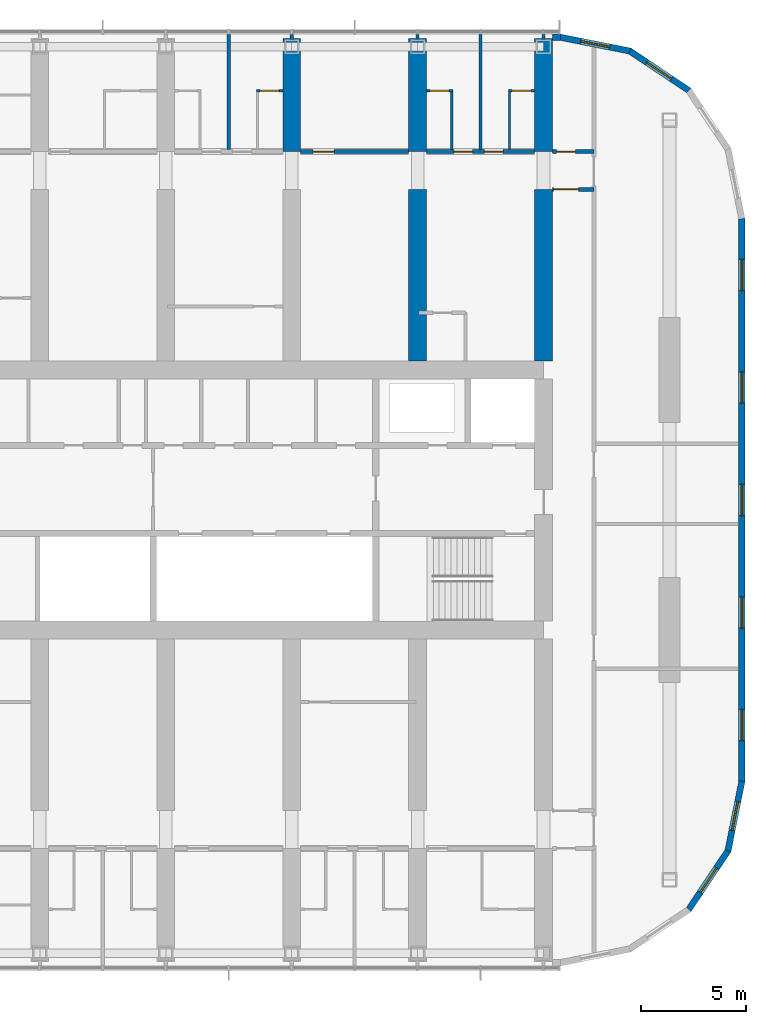
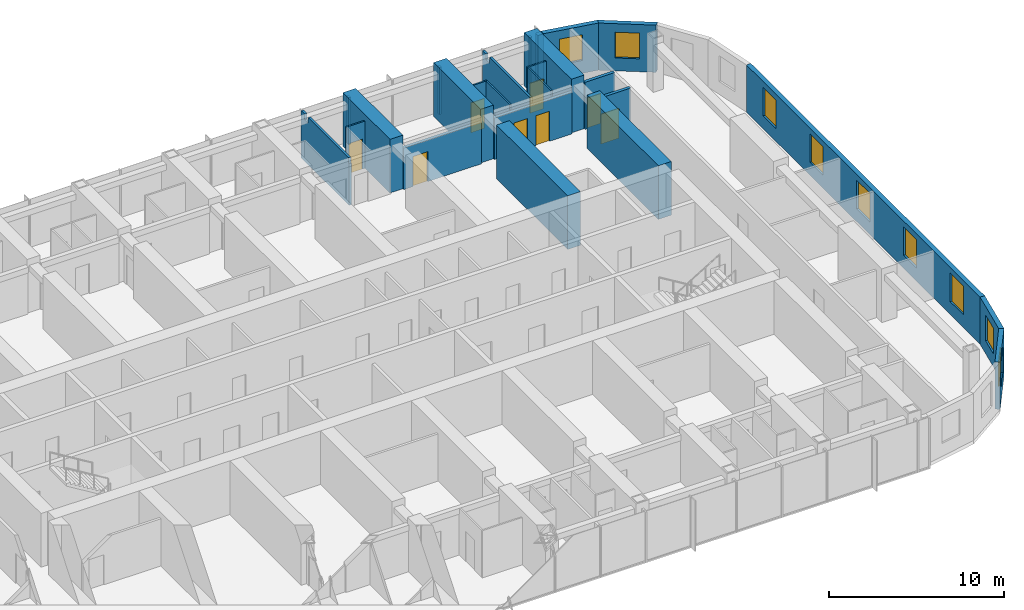
# One storey, part 17 of 23: 25 walls, 9 windows, 8 doors, 17 openings.
"""IFC4 building model written with IfcOpenShell, lengths in metres."""

from ifc_helpers import new_model, si_unit, direction, frame, frame_2d, origin, place, context, subcontext, project, spatial, polyline, rectangle, outline, extrude, material, layer, layer_set, type_object, element, fill, save


model = new_model("IFC4")

# Units and contexts
model_context = context("Model", 3, precision=1e-05, world=origin(), true_north=direction((0.0, 1.0)))
body_context = subcontext(model_context, "Body", "Model", "MODEL_VIEW")
ifc_project = project(units=[si_unit("LENGTHUNIT", "METRE"), si_unit("AREAUNIT", "SQUARE_METRE"), si_unit("VOLUMEUNIT", "CUBIC_METRE"), si_unit("PLANEANGLEUNIT", "RADIAN"), si_unit("MASSUNIT", "GRAM", prefix="KILO")], contexts=[model_context])

# Site, building, storey
site_placement = place(None, origin())
site = spatial("IfcSite", under=ifc_project, at=site_placement, CompositionType="ELEMENT")
building_placement = place(site_placement, origin())
building = spatial("IfcBuilding", under=site, at=building_placement, Name="Orbita Commons", CompositionType="ELEMENT")
storey_placement = place(building_placement, frame((0.0, 0.0, 174.85009765625)))
storey = spatial("IfcBuildingStorey", under=building, at=storey_placement, Name="L43", CompositionType="ELEMENT", Elevation=174.85009765625)

# Wall, opening, door
ifc_material_1 = material(Name="Concrete blockwork", Category="masonry")
ifc_layer_1 = layer(ifc_material_1, 0.199951171875)
ifc_layer_set_1 = layer_set([ifc_layer_1], Name="Concrete blockwork")
wall_type_1 = type_object("IfcWallType", Name="Corridor wall 200 blockwork", PredefinedType="SOLIDWALL", material=ifc_layer_set_1)
wall_1_placement = place(storey_placement, frame((54.425048828125, 48.60009765625, 0.0), z_axis=(0.0, 0.0, 1.0), x_axis=(1.0, 0.0, 0.0)))
wall_1 = element("IfcWall", 1, at=wall_1_placement, inside=storey, type_object=wall_type_1, Name="Corridor wall 200 blockwork L43", PredefinedType="SOLIDWALL", context=body_context, shape_type="SweptSolid", body=[
    extrude(outline(polyline([(0.0, 0.0), (5.14990234375, 0.0), (5.14990234375, 2.89990234375), (0.0, 2.89990234375), (0.0, 0.0)])), frame((0.0, 0.10009765625, 0.0), z_axis=(0.0, -1.0, 0.0), x_axis=(1.0, 0.0, 0.0)), (0.0, 0.0, 1.0), 0.199951171875),
])
opening_1_placement = place(wall_1_placement, frame((0.60009765625, 0.0, 0.0)))
opening_1 = element("IfcOpeningElement", 2, at=opening_1_placement, cuts=wall_1, Name="Opening D06", PredefinedType="OPENING", context=body_context, shape_type="SweptSolid", body=[
    extrude(rectangle(XDim=1.0, YDim=2.10009765625, at=frame_2d((0.5, 1.050048828125))), frame((0.0, 0.10986328125, 0.0), z_axis=(0.0, -1.0, 0.0), x_axis=(1.0, 0.0, 0.0)), (0.0, 0.0, 1.0), 0.219970703125),
])
ifc_material_2 = material(Name="Steel-faced fire door leaf", Category="steel")
door_type_1 = type_object("IfcDoorType", Name="Corridor door 20 min 1000x2100", OperationType="SINGLE_SWING_LEFT", PredefinedType="DOOR", material=ifc_material_2)
door_1_placement = place(opening_1_placement, origin())
door_1 = element("IfcDoor", 3, at=door_1_placement, inside=storey, type_object=door_type_1, Name="Cluster kitchen-diner L43-N12 door", OperationType="SINGLE_SWING_LEFT", OverallHeight=2.10009765625, OverallWidth=1.0, PredefinedType="DOOR", context=body_context, shape_type="SweptSolid", body=[
    extrude(rectangle(XDim=1.0, YDim=2.10009765625, at=frame_2d((0.5, 1.050048828125))), frame((0.0, 0.02490234375, 0.0), z_axis=(0.0, -1.0, 0.0), x_axis=(1.0, 0.0, 0.0)), (0.0, 0.0, 1.0), 0.050048828125),
])
fill(opening_1, door_1)

# Wall, openings, doors
wall_2_placement = place(storey_placement, frame((60.425048828125, 48.60009765625, 0.0), z_axis=(0.0, 0.0, 1.0), x_axis=(1.0, 0.0, 0.0)))
wall_2 = element("IfcWall", 4, at=wall_2_placement, inside=storey, type_object=wall_type_1, Name="Corridor wall 200 blockwork L43", PredefinedType="SOLIDWALL", context=body_context, shape_type="SweptSolid", body=[
    extrude(outline(polyline([(0.0, 0.0), (5.14990234375, 0.0), (5.14990234375, 2.89990234375), (0.0, 2.89990234375), (0.0, 0.0)])), frame((0.0, 0.10009765625, 0.0), z_axis=(0.0, -1.0, 0.0), x_axis=(1.0, 0.0, 0.0)), (0.0, 0.0, 1.0), 0.199951171875),
])
opening_2_placement = place(wall_2_placement, frame((1.300048828125, 0.0, 0.0)))
opening_2 = element("IfcOpeningElement", 5, at=opening_2_placement, cuts=wall_2, Name="Opening D11", PredefinedType="OPENING", context=body_context, shape_type="SweptSolid", body=[
    extrude(rectangle(XDim=0.89990234375, YDim=2.10009765625, at=frame_2d((0.449951171875, 1.050048828125))), frame((0.0, 0.10986328125, 0.0), z_axis=(0.0, -1.0, 0.0), x_axis=(1.0, 0.0, 0.0)), (0.0, 0.0, 1.0), 0.219970703125),
])
opening_3_placement = place(wall_2_placement, frame((2.75, 0.0, 0.0)))
opening_3 = element("IfcOpeningElement", 6, at=opening_3_placement, cuts=wall_2, Name="Opening D11", PredefinedType="OPENING", context=body_context, shape_type="SweptSolid", body=[
    extrude(rectangle(XDim=0.89990234375, YDim=2.10009765625, at=frame_2d((0.449951171875, 1.050048828125))), frame((0.0, 0.10986328125, 0.0), z_axis=(0.0, -1.0, 0.0), x_axis=(1.0, 0.0, 0.0)), (0.0, 0.0, 1.0), 0.219970703125),
])
ifc_material_3 = material(Name="Steel-faced fire door leaf", Category="steel")
door_type_2 = type_object("IfcDoorType", Name="Corridor door 20 min 900x2100", OperationType="SINGLE_SWING_LEFT", PredefinedType="DOOR", material=ifc_material_3)
door_2_placement = place(opening_2_placement, origin())
door_2 = element("IfcDoor", 7, at=door_2_placement, inside=storey, type_object=door_type_2, Name="Cluster bedroom L43-N14 door", OperationType="SINGLE_SWING_LEFT", OverallHeight=2.10009765625, OverallWidth=0.89990234375, PredefinedType="DOOR", context=body_context, shape_type="SweptSolid", body=[
    extrude(rectangle(XDim=0.89990234375, YDim=2.10009765625, at=frame_2d((0.449951171875, 1.050048828125))), frame((0.0, 0.02490234375, 0.0), z_axis=(0.0, -1.0, 0.0), x_axis=(1.0, 0.0, 0.0)), (0.0, 0.0, 1.0), 0.050048828125),
])
fill(opening_2, door_2)
door_3_placement = place(opening_3_placement, origin())
door_3 = element("IfcDoor", 8, at=door_3_placement, inside=storey, type_object=door_type_2, Name="Cluster bedroom L43-N15 door", OperationType="SINGLE_SWING_LEFT", OverallHeight=2.10009765625, OverallWidth=0.89990234375, PredefinedType="DOOR", context=body_context, shape_type="SweptSolid", body=[
    extrude(rectangle(XDim=0.89990234375, YDim=2.10009765625, at=frame_2d((0.449951171875, 1.050048828125))), frame((0.0, 0.02490234375, 0.0), z_axis=(0.0, -1.0, 0.0), x_axis=(1.0, 0.0, 0.0)), (0.0, 0.0, 1.0), 0.050048828125),
])
fill(opening_3, door_3)

# Wall, opening, door
wall_3_placement = place(storey_placement, frame((66.425048828125, 48.60009765625, 0.0), z_axis=(0.0, 0.0, 1.0), x_axis=(1.0, 0.0, 0.0)))
wall_3 = element("IfcWall", 9, at=wall_3_placement, inside=storey, type_object=wall_type_1, Name="Corridor wall 200 blockwork L43", PredefinedType="SOLIDWALL", context=body_context, shape_type="SweptSolid", body=[
    extrude(rectangle(XDim=1.974853515625, YDim=0.199951171875, at=frame_2d((0.9873046875, 0.0))), origin(), (0.0, 0.0, 1.0), 3.2998046875),
])
opening_4_placement = place(wall_3_placement, frame((0.199951171875, 0.0, 0.0)))
opening_4 = element("IfcOpeningElement", 10, at=opening_4_placement, cuts=wall_3, Name="Opening D05", PredefinedType="OPENING", context=body_context, shape_type="SweptSolid", body=[
    extrude(rectangle(XDim=0.89990234375, YDim=2.10009765625, at=frame_2d((0.449951171875, 1.050048828125))), frame((0.0, 0.10986328125, 0.0), z_axis=(0.0, -1.0, 0.0), x_axis=(1.0, 0.0, 0.0)), (0.0, 0.0, 1.0), 0.219970703125),
])
ifc_material_4 = material(Name="Steel-faced fire door leaf", Category="steel")
door_type_3 = type_object("IfcDoorType", Name="Service door 20 min 900x2100", OperationType="SINGLE_SWING_LEFT", PredefinedType="DOOR", material=ifc_material_4)
door_4_placement = place(opening_4_placement, origin())
door_4 = element("IfcDoor", 11, at=door_4_placement, inside=storey, type_object=door_type_3, Name="Linen store L43-KEN door", OperationType="SINGLE_SWING_LEFT", OverallHeight=2.10009765625, OverallWidth=0.89990234375, PredefinedType="DOOR", context=body_context, shape_type="SweptSolid", body=[
    extrude(rectangle(XDim=0.89990234375, YDim=2.10009765625, at=frame_2d((0.449951171875, 1.050048828125))), frame((0.0, 0.02490234375, 0.0), z_axis=(0.0, -1.0, 0.0), x_axis=(1.0, 0.0, 0.0)), (0.0, 0.0, 1.0), 0.050048828125),
])
fill(opening_4, door_4)

ifc_material_5 = material(Name="Hollow concrete block 200", Category="concrete")
ifc_layer_2 = layer(ifc_material_5, 0.199951171875)
ifc_layer_set_2 = layer_set([ifc_layer_2], Name="Hollow concrete block 200")
wall_type_2 = type_object("IfcWallType", Name="Corridor wall 200 hollow concrete block", PredefinedType="SOLIDWALL", material=ifc_layer_set_2)
wall_4_placement = place(storey_placement, frame((66.425048828125, 46.800048828125, 0.0), z_axis=(0.0, 0.0, 1.0), x_axis=(1.0, 0.0, 0.0)))
wall_4 = element("IfcWall", 12, at=wall_4_placement, inside=storey, type_object=wall_type_2, Name="Corridor wall 200 hollow concrete block L43", PredefinedType="SOLIDWALL", context=body_context, shape_type="SweptSolid", body=[
    extrude(rectangle(XDim=1.974853515625, YDim=0.199951171875, at=frame_2d((0.9873046875, 0.0))), origin(), (0.0, 0.0, 1.0), 3.2998046875),
])
opening_5_placement = place(wall_4_placement, frame((0.050048828125, 0.0, 0.0)))
opening_5 = element("IfcOpeningElement", 13, at=opening_5_placement, cuts=wall_4, Name="Opening D12", PredefinedType="OPENING", context=body_context, shape_type="SweptSolid", body=[
    extrude(rectangle(XDim=1.199951171875, YDim=2.10009765625, at=frame_2d((0.60009765625, 1.050048828125))), frame((0.0, 0.10986328125, 0.0), z_axis=(0.0, -1.0, 0.0), x_axis=(1.0, 0.0, 0.0)), (0.0, 0.0, 1.0), 0.219970703125),
])
ifc_material_6 = material(Name="Steel-faced fire door leaf", Category="steel")
door_type_4 = type_object("IfcDoorType", Name="Double corridor door 20 min 1200x2100", OperationType="DOUBLE_DOOR_SINGLE_SWING", PredefinedType="DOOR", material=ifc_material_6)
door_5_placement = place(opening_5_placement, origin())
door_5 = element("IfcDoor", 14, at=door_5_placement, inside=storey, type_object=door_type_4, Name="Cross corridor doors", OperationType="DOUBLE_DOOR_SINGLE_SWING", OverallHeight=2.10009765625, OverallWidth=1.199951171875, PredefinedType="DOOR", context=body_context, shape_type="SweptSolid", body=[
    extrude(rectangle(XDim=1.199951171875, YDim=2.10009765625, at=frame_2d((0.60009765625, 1.050048828125))), frame((0.0, 0.02490234375, 0.0), z_axis=(0.0, -1.0, 0.0), x_axis=(1.0, 0.0, 0.0)), (0.0, 0.0, 1.0), 0.050048828125),
])
fill(opening_5, door_5)

# Walls
ifc_material_7 = material(Name="Concrete C50/60", Category="concrete")
ifc_layer_3 = layer(ifc_material_7, 0.85009765625)
ifc_layer_set_3 = layer_set([ifc_layer_3], Name="Concrete C50/60")
wall_type_3 = type_object("IfcWallType", Name="Cross wall 850 C50/60", PredefinedType="SHEAR", material=ifc_layer_set_3)
for number, where, z_axis, x_axis, name in (
    (15, (54.0, 48.60009765625, 0.0), (0.0, 0.0, 1.0), (0.0, 1.0, 0.0), "Cross wall 10 north outer L43"),
    (16, (60.0, 48.60009765625, 0.0), (0.0, 0.0, 1.0), (0.0, 1.0, 0.0), "Cross wall 11 north outer L43"),
):
    element("IfcWall", number, at=place(storey_placement, frame(where, z_axis=z_axis, x_axis=x_axis)), inside=storey, type_object=wall_type_3, Name=name, PredefinedType="SHEAR", context=body_context, shape_type="SweptSolid", body=[
        extrude(rectangle(XDim=5.39990234375, YDim=0.85009765625, at=frame_2d((2.699951171875, 0.0))), origin(), (0.0, 0.0, 1.0), 3.75),
    ])
wall_5_placement = place(storey_placement, frame((60.0, 38.625, 0.0), z_axis=(0.0, 0.0, 1.0), x_axis=(0.0, 1.0, 0.0)))
element("IfcWall", 17, at=wall_5_placement, inside=storey, type_object=wall_type_3, Name="Cross wall 11 north inner L43", PredefinedType="SHEAR", context=body_context, shape_type="SweptSolid", body=[
    extrude(rectangle(XDim=8.175048828125, YDim=0.85009765625, at=frame_2d((4.08740234375, 0.0))), origin(), (0.0, 0.0, 1.0), 3.75),
])
wall_6_placement = place(storey_placement, frame((66.0, 48.60009765625, 0.0), z_axis=(0.0, 0.0, 1.0), x_axis=(0.0, 1.0, 0.0)))
element("IfcWall", 18, at=wall_6_placement, inside=storey, type_object=wall_type_3, Name="Cross wall 12 north outer L43", PredefinedType="SHEAR", context=body_context, shape_type="SweptSolid", body=[
    extrude(rectangle(XDim=5.39990234375, YDim=0.85009765625, at=frame_2d((2.699951171875, 0.0))), origin(), (0.0, 0.0, 1.0), 3.75),
])
wall_7_placement = place(storey_placement, frame((66.0, 38.625, 0.0), z_axis=(0.0, 0.0, 1.0), x_axis=(0.0, 1.0, 0.0)))
element("IfcWall", 19, at=wall_7_placement, inside=storey, type_object=wall_type_3, Name="Cross wall 12 north inner L43", PredefinedType="SHEAR", context=body_context, shape_type="SweptSolid", body=[
    extrude(rectangle(XDim=8.175048828125, YDim=0.85009765625, at=frame_2d((4.08740234375, 0.0))), origin(), (0.0, 0.0, 1.0), 3.75),
])

# Wall, opening, door
ifc_material_8 = material(Name="Moisture-resistant plasterboard on steel studs", Category="steel")
ifc_layer_4 = layer(ifc_material_8, 0.10009765625)
ifc_layer_set_4 = layer_set([ifc_layer_4], Name="Moisture-resistant plasterboard on steel studs")
wall_type_4 = type_object("IfcWallType", Name="En-suite partition 100", PredefinedType="PARTITIONING", material=ifc_layer_set_4)
wall_8_placement = place(storey_placement, frame((52.324951171875, 51.5, 0.0), z_axis=(0.0, 0.0, 1.0), x_axis=(1.0, 0.0, 0.0)))
wall_8 = element("IfcWall", 20, at=wall_8_placement, inside=storey, type_object=wall_type_4, Name="En-suite partition 100 L43", PredefinedType="PARTITIONING", context=body_context, shape_type="SweptSolid", body=[
    extrude(rectangle(XDim=1.25, YDim=0.10009765625, at=frame_2d((0.625, 0.0))), origin(), (0.0, 0.0, 1.0), 3.2998046875),
])
opening_6_placement = place(wall_8_placement, frame((0.175048828125, 0.0, 0.0)))
opening_6 = element("IfcOpeningElement", 21, at=opening_6_placement, cuts=wall_8, Name="Opening D09", PredefinedType="OPENING", context=body_context, shape_type="SweptSolid", body=[
    extrude(rectangle(XDim=0.89990234375, YDim=2.10009765625, at=frame_2d((0.449951171875, 1.050048828125))), frame((0.0, 0.06005859375, 0.0), z_axis=(0.0, -1.0, 0.0), x_axis=(1.0, 0.0, 0.0)), (0.0, 0.0, 1.0), 0.1201171875),
])
ifc_material_9 = material(Name="Laminated timber door leaf", Category="wood")
door_type_5 = type_object("IfcDoorType", Name="En-suite door 900x2100", OperationType="SINGLE_SWING_RIGHT", PredefinedType="DOOR", material=ifc_material_9)
door_6_placement = place(opening_6_placement, origin())
door_6 = element("IfcDoor", 22, at=door_6_placement, inside=storey, type_object=door_type_5, Name="En-suite L43-N11 door", OperationType="SINGLE_SWING_RIGHT", OverallHeight=2.10009765625, OverallWidth=0.89990234375, PredefinedType="DOOR", context=body_context, shape_type="SweptSolid", body=[
    extrude(rectangle(XDim=0.89990234375, YDim=2.10009765625, at=frame_2d((0.449951171875, 1.050048828125))), frame((0.0, 0.02490234375, 0.0), z_axis=(0.0, -1.0, 0.0), x_axis=(1.0, 0.0, 0.0)), (0.0, 0.0, 1.0), 0.050048828125),
])
fill(opening_6, door_6)

wall_9_placement = place(storey_placement, frame((60.425048828125, 51.5, 0.0), z_axis=(0.0, 0.0, 1.0), x_axis=(1.0, 0.0, 0.0)))
wall_9 = element("IfcWall", 23, at=wall_9_placement, inside=storey, type_object=wall_type_4, Name="En-suite partition 100 L43", PredefinedType="PARTITIONING", context=body_context, shape_type="SweptSolid", body=[
    extrude(rectangle(XDim=1.25, YDim=0.10009765625, at=frame_2d((0.625, 0.0))), origin(), (0.0, 0.0, 1.0), 3.2998046875),
])
opening_7_placement = place(wall_9_placement, frame((0.175048828125, 0.0, 0.0)))
opening_7 = element("IfcOpeningElement", 24, at=opening_7_placement, cuts=wall_9, Name="Opening D09", PredefinedType="OPENING", context=body_context, shape_type="SweptSolid", body=[
    extrude(rectangle(XDim=0.89990234375, YDim=2.10009765625, at=frame_2d((0.449951171875, 1.050048828125))), frame((0.0, 0.06005859375, 0.0), z_axis=(0.0, -1.0, 0.0), x_axis=(1.0, 0.0, 0.0)), (0.0, 0.0, 1.0), 0.1201171875),
])
door_7_placement = place(opening_7_placement, origin())
door_7 = element("IfcDoor", 25, at=door_7_placement, inside=storey, type_object=door_type_5, Name="En-suite L43-N14 door", OperationType="SINGLE_SWING_RIGHT", OverallHeight=2.10009765625, OverallWidth=0.89990234375, PredefinedType="DOOR", context=body_context, shape_type="SweptSolid", body=[
    extrude(rectangle(XDim=0.89990234375, YDim=2.10009765625, at=frame_2d((0.449951171875, 1.050048828125))), frame((0.0, 0.02490234375, 0.0), z_axis=(0.0, -1.0, 0.0), x_axis=(1.0, 0.0, 0.0)), (0.0, 0.0, 1.0), 0.050048828125),
])
fill(opening_7, door_7)

# Wall
wall_10_placement = place(storey_placement, frame((61.625, 51.449951171875, 0.0), z_axis=(0.0, 0.0, 1.0), x_axis=(0.0, -1.0, 0.0)))
element("IfcWall", 26, at=wall_10_placement, inside=storey, type_object=wall_type_4, Name="En-suite partition 100 L43", PredefinedType="PARTITIONING", context=body_context, shape_type="SweptSolid", body=[
    extrude(outline(polyline([(0.0, 0.0), (2.75, 0.0), (2.75, 2.89990234375), (2.701904296875, 2.89990234375), (2.699951171875, 3.2998046875), (0.0, 3.2998046875), (0.0, 0.0)])), frame((0.0, 0.050048828125, 0.0), z_axis=(0.0, -1.0, 0.0), x_axis=(1.0, 0.0, 0.0)), (0.0, 0.0, 1.0), 0.10009765625),
])

# Wall, opening, door
wall_11_placement = place(storey_placement, frame((64.324951171875, 51.5, 0.0), z_axis=(0.0, 0.0, 1.0), x_axis=(1.0, 0.0, 0.0)))
wall_11 = element("IfcWall", 27, at=wall_11_placement, inside=storey, type_object=wall_type_4, Name="En-suite partition 100 L43", PredefinedType="PARTITIONING", context=body_context, shape_type="SweptSolid", body=[
    extrude(rectangle(XDim=1.25, YDim=0.10009765625, at=frame_2d((0.625, 0.0))), origin(), (0.0, 0.0, 1.0), 3.2998046875),
])
opening_8_placement = place(wall_11_placement, frame((0.175048828125, 0.0, 0.0)))
opening_8 = element("IfcOpeningElement", 28, at=opening_8_placement, cuts=wall_11, Name="Opening D09", PredefinedType="OPENING", context=body_context, shape_type="SweptSolid", body=[
    extrude(rectangle(XDim=0.89990234375, YDim=2.10009765625, at=frame_2d((0.449951171875, 1.050048828125))), frame((0.0, 0.06005859375, 0.0), z_axis=(0.0, -1.0, 0.0), x_axis=(1.0, 0.0, 0.0)), (0.0, 0.0, 1.0), 0.1201171875),
])
door_8_placement = place(opening_8_placement, origin())
door_8 = element("IfcDoor", 29, at=door_8_placement, inside=storey, type_object=door_type_5, Name="En-suite L43-N15 door", OperationType="SINGLE_SWING_RIGHT", OverallHeight=2.10009765625, OverallWidth=0.89990234375, PredefinedType="DOOR", context=body_context, shape_type="SweptSolid", body=[
    extrude(rectangle(XDim=0.89990234375, YDim=2.10009765625, at=frame_2d((0.449951171875, 1.050048828125))), frame((0.0, 0.02490234375, 0.0), z_axis=(0.0, -1.0, 0.0), x_axis=(1.0, 0.0, 0.0)), (0.0, 0.0, 1.0), 0.050048828125),
])
fill(opening_8, door_8)

# Walls
wall_12_placement = place(storey_placement, frame((64.375, 51.449951171875, 0.0), z_axis=(0.0, 0.0, 1.0), x_axis=(0.0, -1.0, 0.0)))
element("IfcWall", 30, at=wall_12_placement, inside=storey, type_object=wall_type_4, Name="En-suite partition 100 L43", PredefinedType="PARTITIONING", context=body_context, shape_type="SweptSolid", body=[
    extrude(outline(polyline([(0.0, 0.0), (2.75, 0.0), (2.75, 2.89990234375), (2.701904296875, 2.89990234375), (2.699951171875, 3.2998046875), (0.0, 3.2998046875), (0.0, 0.0)])), frame((0.0, 0.050048828125, 0.0), z_axis=(0.0, -1.0, 0.0), x_axis=(1.0, 0.0, 0.0)), (0.0, 0.0, 1.0), 0.10009765625),
])
ifc_material_10 = material(Name="Gypsum plasterboard on steel studs", Category="steel")
ifc_layer_5 = layer(ifc_material_10, 0.14990234375)
ifc_layer_set_5 = layer_set([ifc_layer_5], Name="Gypsum plasterboard on steel studs")
wall_type_5 = type_object("IfcWallType", Name="Partition 150 plasterboard", PredefinedType="PARTITIONING", material=ifc_layer_set_5)
for number, where, z_axis, x_axis, name in (
    (31, (54.0, 53.949951171875, 0.0), (0.0, 0.0, 1.0), (0.0, 1.0, 0.0), "Partition 150 plasterboard L43"),
    (32, (60.0, 53.949951171875, 0.0), (0.0, 0.0, 1.0), (0.0, 1.0, 0.0), "Partition 150 plasterboard L43"),
    (33, (66.0, 53.949951171875, 0.0), (0.0, 0.0, 1.0), (0.0, 1.0, 0.0), "Partition 150 plasterboard L43"),
):
    element("IfcWall", number, at=place(storey_placement, frame(where, z_axis=z_axis, x_axis=x_axis)), inside=storey, type_object=wall_type_5, Name=name, PredefinedType="PARTITIONING", context=body_context, shape_type="SweptSolid", body=[
        extrude(rectangle(XDim=0.239990234375, YDim=0.14990234375, at=frame_2d((0.1201171875, 0.0))), origin(), (0.0, 0.0, 1.0), 3.2998046875),
    ])
ifc_material_11 = material(Name="Gypsum plasterboard on steel studs", Category="steel")
ifc_layer_6 = layer(ifc_material_11, 0.14990234375)
ifc_layer_set_6 = layer_set([ifc_layer_6], Name="Gypsum plasterboard on steel studs")
wall_type_6 = type_object("IfcWallType", Name="Party wall 150 plasterboard", PredefinedType="PARTITIONING", material=ifc_layer_set_6)
for number, where, z_axis, x_axis, name in (
    (34, (51.0, 54.18994140625, 0.0), (0.0, 0.0, 1.0), (0.0, -1.0, 0.0), "Party wall 150 plasterboard L43"),
    (35, (63.0, 54.18994140625, 0.0), (0.0, 0.0, 1.0), (0.0, -1.0, 0.0), "Party wall 150 plasterboard L43"),
):
    element("IfcWall", number, at=place(storey_placement, frame(where, z_axis=z_axis, x_axis=x_axis)), inside=storey, type_object=wall_type_6, Name=name, PredefinedType="PARTITIONING", context=body_context, shape_type="SweptSolid", body=[
        extrude(outline(polyline([(0.0, 0.0), (5.489990234375, 0.0), (5.489990234375, 2.89990234375), (5.44189453125, 2.89990234375), (5.43994140625, 3.2998046875), (0.7919921875, 3.2998046875), (0.7900390625, 2.89990234375), (0.39208984375, 2.89990234375), (0.389892578125, 3.2998046875), (0.0, 3.2998046875), (0.0, 0.0)])), frame((0.0, 0.074951171875, 0.0), z_axis=(0.0, -1.0, 0.0), x_axis=(1.0, 0.0, 0.0)), (0.0, 0.0, 1.0), 0.14990234375),
    ])

# Wall, openings, windows
ifc_material_12 = material(Name="Precast concrete C40/50, white board-marked finish", Category="concrete")
ifc_layer_7 = layer(ifc_material_12, 0.300048828125)
ifc_layer_set_7 = layer_set([ifc_layer_7], Name="Precast concrete C40/50, white board-marked finish")
wall_type_7 = type_object("IfcWallType", Name="Precast concrete end shield 300", PredefinedType="SOLIDWALL", material=ifc_layer_set_7)
wall_13_placement = place(storey_placement, frame((75.449951171875, 18.60009765625, 0.0), z_axis=(0.0, 0.0, 1.0), x_axis=(0.0, 1.0, 0.0)))
wall_13 = element("IfcWall", 36, at=wall_13_placement, inside=storey, type_object=wall_type_7, Name="End shield E L43", PredefinedType="SOLIDWALL", context=body_context, shape_type="SweptSolid", body=[
    extrude(outline(polyline([(-0.014892578125, -0.14990234375), (26.814697265625, -0.14990234375), (26.784912109375, 0.14990234375), (0.014892578125, 0.14990234375), (-0.014892578125, -0.14990234375)])), origin(), (0.0, 0.0, 1.0), 3.2998046875),
])
opening_9_placement = place(wall_13_placement, frame((1.929931640625, 0.0, 0.89990234375)))
opening_9 = element("IfcOpeningElement", 37, at=opening_9_placement, cuts=wall_13, Name="Opening W01", PredefinedType="OPENING", context=body_context, shape_type="SweptSolid", body=[
    extrude(rectangle(XDim=1.5, YDim=2.0, at=frame_2d((0.75, 1.0))), frame((0.0, 0.159912109375, 0.0), z_axis=(0.0, -1.0, 0.0), x_axis=(1.0, 0.0, 0.0)), (0.0, 0.0, 1.0), 0.320068359375),
])
opening_10_placement = place(wall_13_placement, frame((7.2900390625, 0.0, 0.89990234375)))
opening_10 = element("IfcOpeningElement", 38, at=opening_10_placement, cuts=wall_13, Name="Opening W01", PredefinedType="OPENING", context=body_context, shape_type="SweptSolid", body=[
    extrude(rectangle(XDim=1.5, YDim=2.0, at=frame_2d((0.75, 1.0))), frame((0.0, 0.159912109375, 0.0), z_axis=(0.0, -1.0, 0.0), x_axis=(1.0, 0.0, 0.0)), (0.0, 0.0, 1.0), 0.320068359375),
])
opening_11_placement = place(wall_13_placement, frame((12.64990234375, 0.0, 0.89990234375)))
opening_11 = element("IfcOpeningElement", 39, at=opening_11_placement, cuts=wall_13, Name="Opening W01", PredefinedType="OPENING", context=body_context, shape_type="SweptSolid", body=[
    extrude(rectangle(XDim=1.5, YDim=2.0, at=frame_2d((0.75, 1.0))), frame((0.0, 0.159912109375, 0.0), z_axis=(0.0, -1.0, 0.0), x_axis=(1.0, 0.0, 0.0)), (0.0, 0.0, 1.0), 0.320068359375),
])
opening_12_placement = place(wall_13_placement, frame((18.010009765625, 0.0, 0.89990234375)))
opening_12 = element("IfcOpeningElement", 40, at=opening_12_placement, cuts=wall_13, Name="Opening W01", PredefinedType="OPENING", context=body_context, shape_type="SweptSolid", body=[
    extrude(rectangle(XDim=1.5, YDim=2.0, at=frame_2d((0.75, 1.0))), frame((0.0, 0.159912109375, 0.0), z_axis=(0.0, -1.0, 0.0), x_axis=(1.0, 0.0, 0.0)), (0.0, 0.0, 1.0), 0.320068359375),
])
opening_13_placement = place(wall_13_placement, frame((23.3701171875, 0.0, 0.89990234375)))
opening_13 = element("IfcOpeningElement", 41, at=opening_13_placement, cuts=wall_13, Name="Opening W01", PredefinedType="OPENING", context=body_context, shape_type="SweptSolid", body=[
    extrude(rectangle(XDim=1.5, YDim=2.0, at=frame_2d((0.75, 1.0))), frame((0.0, 0.159912109375, 0.0), z_axis=(0.0, -1.0, 0.0), x_axis=(1.0, 0.0, 0.0)), (0.0, 0.0, 1.0), 0.320068359375),
])
ifc_material_13 = material(Name="Aluminium frame, clear double glazing", Category="aluminium")
window_type_1 = type_object("IfcWindowType", Name="Deep-set window 1500x2000", PartitioningType="SINGLE_PANEL", PredefinedType="WINDOW", material=ifc_material_13)
window_1_placement = place(opening_9_placement, origin())
window_1 = element("IfcWindow", 42, at=window_1_placement, inside=storey, type_object=window_type_1, Name="Window L43-E 1", OverallHeight=2.0, OverallWidth=1.5, PartitioningType="SINGLE_PANEL", PredefinedType="WINDOW", context=body_context, shape_type="SweptSolid", body=[
    extrude(rectangle(XDim=1.5, YDim=2.0, at=frame_2d((0.75, 1.0))), frame((0.0, 0.030029296875, 0.0), z_axis=(0.0, -1.0, 0.0), x_axis=(1.0, 0.0, 0.0)), (0.0, 0.0, 1.0), 0.06005859375),
])
fill(opening_9, window_1)
window_2_placement = place(opening_10_placement, origin())
window_2 = element("IfcWindow", 43, at=window_2_placement, inside=storey, type_object=window_type_1, Name="Window L43-E 2", OverallHeight=2.0, OverallWidth=1.5, PartitioningType="SINGLE_PANEL", PredefinedType="WINDOW", context=body_context, shape_type="SweptSolid", body=[
    extrude(rectangle(XDim=1.5, YDim=2.0, at=frame_2d((0.75, 1.0))), frame((0.0, 0.030029296875, 0.0), z_axis=(0.0, -1.0, 0.0), x_axis=(1.0, 0.0, 0.0)), (0.0, 0.0, 1.0), 0.06005859375),
])
fill(opening_10, window_2)
window_3_placement = place(opening_11_placement, origin())
window_3 = element("IfcWindow", 44, at=window_3_placement, inside=storey, type_object=window_type_1, Name="Window L43-E 3", OverallHeight=2.0, OverallWidth=1.5, PartitioningType="SINGLE_PANEL", PredefinedType="WINDOW", context=body_context, shape_type="SweptSolid", body=[
    extrude(rectangle(XDim=1.5, YDim=2.0, at=frame_2d((0.75, 1.0))), frame((0.0, 0.030029296875, 0.0), z_axis=(0.0, -1.0, 0.0), x_axis=(1.0, 0.0, 0.0)), (0.0, 0.0, 1.0), 0.06005859375),
])
fill(opening_11, window_3)
window_4_placement = place(opening_12_placement, origin())
window_4 = element("IfcWindow", 45, at=window_4_placement, inside=storey, type_object=window_type_1, Name="Window L43-E 4", OverallHeight=2.0, OverallWidth=1.5, PartitioningType="SINGLE_PANEL", PredefinedType="WINDOW", context=body_context, shape_type="SweptSolid", body=[
    extrude(rectangle(XDim=1.5, YDim=2.0, at=frame_2d((0.75, 1.0))), frame((0.0, 0.030029296875, 0.0), z_axis=(0.0, -1.0, 0.0), x_axis=(1.0, 0.0, 0.0)), (0.0, 0.0, 1.0), 0.06005859375),
])
fill(opening_12, window_4)
window_5_placement = place(opening_13_placement, origin())
window_5 = element("IfcWindow", 46, at=window_5_placement, inside=storey, type_object=window_type_1, Name="Window L43-E 5", OverallHeight=2.0, OverallWidth=1.5, PartitioningType="SINGLE_PANEL", PredefinedType="WINDOW", context=body_context, shape_type="SweptSolid", body=[
    extrude(rectangle(XDim=1.5, YDim=2.0, at=frame_2d((0.75, 1.0))), frame((0.0, 0.030029296875, 0.0), z_axis=(0.0, -1.0, 0.0), x_axis=(1.0, 0.0, 0.0)), (0.0, 0.0, 1.0), 0.06005859375),
])
fill(opening_13, window_5)

# Wall, opening, window
wall_14_placement = place(storey_placement, frame((72.91650390625, 12.4833984375, 0.0), z_axis=(0.0, 0.0, 1.0), x_axis=(0.555534554399, 0.831493450887, 0.0)))
wall_14 = element("IfcWall", 47, at=wall_14_placement, inside=storey, type_object=wall_type_7, Name="End shield SE chord 3 L43", PredefinedType="SOLIDWALL", context=body_context, shape_type="SweptSolid", body=[
    extrude(outline(polyline([(-0.02978515625, -0.14990234375), (3.405029296875, -0.14990234375), (3.345458984375, 0.14990234375), (0.02978515625, 0.14990234375), (-0.02978515625, -0.14990234375)])), origin(), (0.0, 0.0, 1.0), 3.2998046875),
])
opening_14_placement = place(wall_14_placement, frame((0.987548828125, 0.0, 0.89990234375)))
opening_14 = element("IfcOpeningElement", 48, at=opening_14_placement, cuts=wall_14, Name="Opening W02", PredefinedType="OPENING", context=body_context, shape_type="SweptSolid", body=[
    extrude(rectangle(XDim=1.39990234375, YDim=1.800048828125, at=frame_2d((0.699951171875, 0.89990234375))), frame((0.0, 0.159912109375, 0.0), z_axis=(0.0, -1.0, 0.0), x_axis=(1.0, 0.0, 0.0)), (0.0, 0.0, 1.0), 0.320068359375),
])
ifc_material_14 = material(Name="Aluminium frame, clear double glazing", Category="aluminium")
window_type_2 = type_object("IfcWindowType", Name="Deep-set window 1400x1800", PartitioningType="SINGLE_PANEL", PredefinedType="WINDOW", material=ifc_material_14)
window_6_placement = place(opening_14_placement, origin())
window_6 = element("IfcWindow", 49, at=window_6_placement, inside=storey, type_object=window_type_2, Name="Window L43-SE2", OverallHeight=1.800048828125, OverallWidth=1.39990234375, PartitioningType="SINGLE_PANEL", PredefinedType="WINDOW", context=body_context, shape_type="SweptSolid", body=[
    extrude(rectangle(XDim=1.39990234375, YDim=1.800048828125, at=frame_2d((0.699951171875, 0.89990234375))), frame((0.0, 0.030029296875, 0.0), z_axis=(0.0, -1.0, 0.0), x_axis=(1.0, 0.0, 0.0)), (0.0, 0.0, 1.0), 0.06005859375),
])
fill(opening_14, window_6)

wall_15_placement = place(storey_placement, frame((74.79150390625, 15.289794921875, 0.0), z_axis=(0.0, 0.0, 1.0), x_axis=(0.19508664885, 0.980786011034, 0.0)))
wall_15 = element("IfcWall", 50, at=wall_15_placement, inside=storey, type_object=wall_type_7, Name="End shield SE chord 4 L43", PredefinedType="SOLIDWALL", context=body_context, shape_type="SweptSolid", body=[
    extrude(outline(polyline([(-0.02978515625, -0.14990234375), (3.39013671875, -0.14990234375), (3.3603515625, 0.14990234375), (0.02978515625, 0.14990234375), (-0.02978515625, -0.14990234375)])), origin(), (0.0, 0.0, 1.0), 3.2998046875),
])
opening_15_placement = place(wall_15_placement, frame((0.987548828125, 0.0, 0.89990234375)))
opening_15 = element("IfcOpeningElement", 51, at=opening_15_placement, cuts=wall_15, Name="Opening W02", PredefinedType="OPENING", context=body_context, shape_type="SweptSolid", body=[
    extrude(rectangle(XDim=1.39990234375, YDim=1.800048828125, at=frame_2d((0.699951171875, 0.89990234375))), frame((0.0, 0.159912109375, 0.0), z_axis=(0.0, -1.0, 0.0), x_axis=(1.0, 0.0, 0.0)), (0.0, 0.0, 1.0), 0.320068359375),
])
window_7_placement = place(opening_15_placement, origin())
window_7 = element("IfcWindow", 52, at=window_7_placement, inside=storey, type_object=window_type_2, Name="Window L43-SE3", OverallHeight=1.800048828125, OverallWidth=1.39990234375, PartitioningType="SINGLE_PANEL", PredefinedType="WINDOW", context=body_context, shape_type="SweptSolid", body=[
    extrude(rectangle(XDim=1.39990234375, YDim=1.800048828125, at=frame_2d((0.699951171875, 0.89990234375))), frame((0.0, 0.030029296875, 0.0), z_axis=(0.0, -1.0, 0.0), x_axis=(1.0, 0.0, 0.0)), (0.0, 0.0, 1.0), 0.06005859375),
])
fill(opening_15, window_7)

wall_16_placement = place(storey_placement, frame((72.91650390625, 51.5166015625, 0.0), z_axis=(0.0, 0.0, 1.0), x_axis=(-0.831493450887, 0.555534554399, 0.0)))
wall_16 = element("IfcWall", 53, at=wall_16_placement, inside=storey, type_object=wall_type_7, Name="End shield NE chord 3 L43", PredefinedType="SOLIDWALL", context=body_context, shape_type="SweptSolid", body=[
    extrude(outline(polyline([(-0.02978515625, -0.14990234375), (3.405029296875, -0.14990234375), (3.345458984375, 0.14990234375), (0.02978515625, 0.14990234375), (-0.02978515625, -0.14990234375)])), origin(), (0.0, 0.0, 1.0), 3.2998046875),
])
opening_16_placement = place(wall_16_placement, frame((0.987548828125, 0.0, 0.89990234375)))
opening_16 = element("IfcOpeningElement", 54, at=opening_16_placement, cuts=wall_16, Name="Opening W02", PredefinedType="OPENING", context=body_context, shape_type="SweptSolid", body=[
    extrude(rectangle(XDim=1.39990234375, YDim=1.800048828125, at=frame_2d((0.699951171875, 0.89990234375))), frame((0.0, 0.159912109375, 0.0), z_axis=(0.0, -1.0, 0.0), x_axis=(1.0, 0.0, 0.0)), (0.0, 0.0, 1.0), 0.320068359375),
])
window_8_placement = place(opening_16_placement, origin())
window_8 = element("IfcWindow", 55, at=window_8_placement, inside=storey, type_object=window_type_2, Name="Window L43-NE2", OverallHeight=1.800048828125, OverallWidth=1.39990234375, PartitioningType="SINGLE_PANEL", PredefinedType="WINDOW", context=body_context, shape_type="SweptSolid", body=[
    extrude(rectangle(XDim=1.39990234375, YDim=1.800048828125, at=frame_2d((0.699951171875, 0.89990234375))), frame((0.0, 0.030029296875, 0.0), z_axis=(0.0, -1.0, 0.0), x_axis=(1.0, 0.0, 0.0)), (0.0, 0.0, 1.0), 0.06005859375),
])
fill(opening_16, window_8)

wall_17_placement = place(storey_placement, frame((70.110107421875, 53.3916015625, 0.0), z_axis=(0.0, 0.0, 1.0), x_axis=(-0.98078325777, 0.195100490205, 0.0)))
wall_17 = element("IfcWall", 56, at=wall_17_placement, inside=storey, type_object=wall_type_7, Name="End shield NE chord 4 L43", PredefinedType="SOLIDWALL", context=body_context, shape_type="SweptSolid", body=[
    extrude(outline(polyline([(-0.02978515625, -0.14990234375), (3.40478515625, -0.14990234375), (3.34521484375, 0.14990234375), (0.02978515625, 0.14990234375), (-0.02978515625, -0.14990234375)])), origin(), (0.0, 0.0, 1.0), 3.2998046875),
])
opening_17_placement = place(wall_17_placement, frame((0.987548828125, 0.0, 0.89990234375)))
opening_17 = element("IfcOpeningElement", 57, at=opening_17_placement, cuts=wall_17, Name="Opening W02", PredefinedType="OPENING", context=body_context, shape_type="SweptSolid", body=[
    extrude(rectangle(XDim=1.39990234375, YDim=1.800048828125, at=frame_2d((0.699951171875, 0.89990234375))), frame((0.0, 0.159912109375, 0.0), z_axis=(0.0, -1.0, 0.0), x_axis=(1.0, 0.0, 0.0)), (0.0, 0.0, 1.0), 0.320068359375),
])
window_9_placement = place(opening_17_placement, origin())
window_9 = element("IfcWindow", 58, at=window_9_placement, inside=storey, type_object=window_type_2, Name="Window L43-NE3", OverallHeight=1.800048828125, OverallWidth=1.39990234375, PartitioningType="SINGLE_PANEL", PredefinedType="WINDOW", context=body_context, shape_type="SweptSolid", body=[
    extrude(rectangle(XDim=1.39990234375, YDim=1.800048828125, at=frame_2d((0.699951171875, 0.89990234375))), frame((0.0, 0.030029296875, 0.0), z_axis=(0.0, -1.0, 0.0), x_axis=(1.0, 0.0, 0.0)), (0.0, 0.0, 1.0), 0.06005859375),
])
fill(opening_17, window_9)

# Wall
wall_18_placement = place(storey_placement, frame((66.800048828125, 54.050048828125, 0.0), z_axis=(0.0, 0.0, 1.0), x_axis=(-1.0, 0.0, 0.0)))
element("IfcWall", 59, at=wall_18_placement, inside=storey, type_object=wall_type_7, Name="End shield NE closer L43", PredefinedType="SOLIDWALL", context=body_context, shape_type="SweptSolid", body=[
    extrude(rectangle(XDim=0.375, YDim=0.300048828125, at=frame_2d((0.1875, 0.0))), origin(), (0.0, 0.0, 1.0), 3.2998046875),
])

save(model, "model.ifc")
